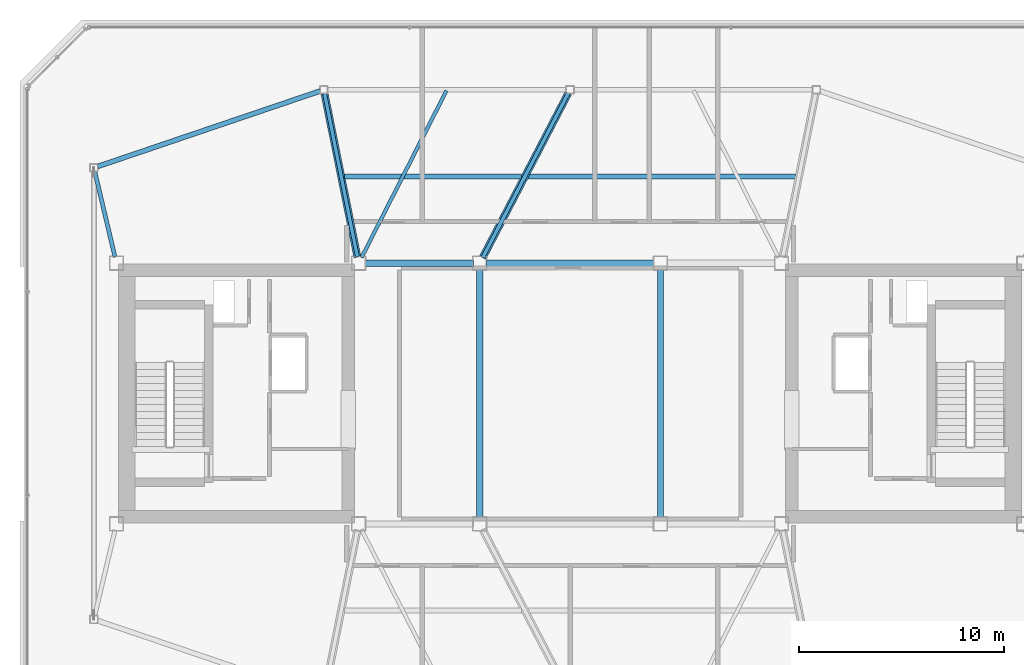
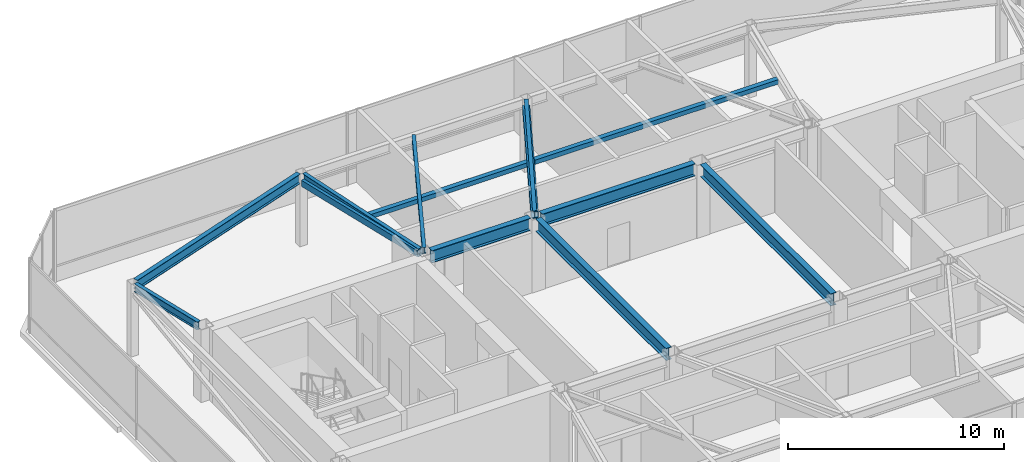
# One storey, part 7 of 21: 9 beams, 4 members.
"""IFC4 building model written with IfcOpenShell, lengths in metres."""

from ifc_helpers import new_model, si_unit, direction, frame, origin, origin_2d, place, context, subcontext, project, spatial, hollow_rectangle, i_section, extrude, material, material_profile, profile_set, type_object, element, save


model = new_model("IFC4")

# Units and contexts
model_context = context("Model", 3, precision=1e-05, world=origin(), true_north=direction((0.0, 1.0)))
body_context = subcontext(model_context, "Body", "Model", "MODEL_VIEW")
ifc_project = project(units=[si_unit("LENGTHUNIT", "METRE"), si_unit("AREAUNIT", "SQUARE_METRE"), si_unit("VOLUMEUNIT", "CUBIC_METRE"), si_unit("PLANEANGLEUNIT", "RADIAN"), si_unit("MASSUNIT", "GRAM", prefix="KILO")], contexts=[model_context])

# Site, building, storey
site_placement = place(None, origin())
site = spatial("IfcSite", under=ifc_project, at=site_placement, CompositionType="ELEMENT")
building_placement = place(site_placement, origin())
building = spatial("IfcBuilding", under=site, at=building_placement, Name="Tavrogorsk Clinical Tower", CompositionType="ELEMENT")
storey_placement = place(building_placement, frame((0.0, 0.0, 344.199951171875)))
storey = spatial("IfcBuildingStorey", under=building, at=storey_placement, Name="L80", CompositionType="ELEMENT", Elevation=344.199951171875)

# Members
ifc_material_1 = material(Name="Structural steel S355", Category="steel")
ifc_material_profile_1 = material_profile(ifc_material_1, hollow_rectangle(XDim=0.25, YDim=0.25, WallThickness=0.012451171875, at=origin_2d()), Name="SHS-250x250x12.5")
ifc_profile_set_1 = profile_set([ifc_material_profile_1], Name="Structural steel S355")
member_type_1 = type_object("IfcMemberType", Name="CrownFacetPurlin_SHS250", PredefinedType="PURLIN", material=ifc_profile_set_1)
member_1_placement = place(storey_placement, frame((-10.989990234375, 10.574951171875, 3.72998046875), z_axis=(1.0, 0.0, 0.0), x_axis=(0.0, 1.0, 0.0)))
element("IfcMember", 1, at=member_1_placement, inside=storey, type_object=member_type_1, Name="L80 Crown Facet Purlin N-1", PredefinedType="PURLIN", context=body_context, shape_type="SweptSolid", body=[
    extrude(hollow_rectangle(XDim=0.25, YDim=0.25, WallThickness=0.012451171875, at=origin_2d()), origin(), (0.0, 0.0, 1.0), 8.6298828125),
])
member_2_placement = place(storey_placement, frame((-2.0400390625, 10.574951171875, 3.72998046875), z_axis=(1.0, 0.0, 0.0), x_axis=(0.0, 1.0, 0.0)))
element("IfcMember", 2, at=member_2_placement, inside=storey, type_object=member_type_1, Name="L80 Crown Facet Purlin N-2", PredefinedType="PURLIN", context=body_context, shape_type="SweptSolid", body=[
    extrude(hollow_rectangle(XDim=0.25, YDim=0.25, WallThickness=0.012451171875, at=origin_2d()), origin(), (0.0, 0.0, 1.0), 13.030029296875),
])
ifc_material_2 = material(Name="Structural steel S390", Category="steel")
ifc_material_profile_2 = material_profile(ifc_material_2, hollow_rectangle(XDim=0.35009765625, YDim=0.35009765625, WallThickness=0.01611328125, at=origin_2d()), Name="SHS-350x350x16")
ifc_profile_set_2 = profile_set([ifc_material_profile_2], Name="Structural steel S390")
member_type_2 = type_object("IfcMemberType", Name="CrownFacetRafter_SHS350", PredefinedType="RAFTER", material=ifc_profile_set_2)
member_3_placement = place(storey_placement, frame((-10.361083984375, 6.65380859375, 3.869384765625), z_axis=(-0.197131196678, 0.97975889631, -0.03481086608), x_axis=(-0.980353070529, -0.197250746779, 0.0)))
element("IfcMember", 3, at=member_3_placement, inside=storey, type_object=member_type_2, Name="L80 Sloped Facet Rafter N-1", PredefinedType="RAFTER", context=body_context, shape_type="SweptSolid", body=[
    extrude(hollow_rectangle(XDim=0.35009765625, YDim=0.35009765625, WallThickness=0.01611328125, at=origin_2d()), origin(), (0.0, 0.0, 1.0), 8.114501953125),
])
member_4_placement = place(storey_placement, frame((-4.2568359375, 6.624755859375, 3.870361328125), z_axis=(0.461609796576, 0.886524618116, -0.031472165167), x_axis=(-0.886963994611, 0.461838578146, 0.0)))
element("IfcMember", 4, at=member_4_placement, inside=storey, type_object=member_type_2, Name="L80 Sloped Facet Rafter N-2", PredefinedType="RAFTER", context=body_context, shape_type="SweptSolid", body=[
    extrude(hollow_rectangle(XDim=0.35009765625, YDim=0.35009765625, WallThickness=0.01611328125, at=origin_2d()), origin(), (0.0, 0.0, 1.0), 9.021728515625),
])

# Beams
ifc_material_3 = material(Name="Structural steel S355", Category="steel")
ifc_material_profile_3 = material_profile(ifc_material_3, i_section(OverallWidth=0.199951171875, OverallDepth=0.449951171875, WebThickness=0.011474609375, FlangeThickness=0.01806640625, at=origin_2d()), Name="B-450x200x11.5x18")
ifc_profile_set_3 = profile_set([ifc_material_profile_3], Name="Structural steel S355")
beam_type_1 = type_object("IfcBeamType", Name="FloorBeam_B450", PredefinedType="BEAM", material=ifc_profile_set_3)
beam_1_placement = place(storey_placement, frame((-4.2568359375, 6.625, 3.875), z_axis=(0.461855081218, 0.886955401332, 0.0), x_axis=(-0.886955401332, 0.461855081218, 0.0)))
element("IfcBeam", 5, at=beam_1_placement, inside=storey, type_object=beam_type_1, Name="L80 Crown Radial Beam 07", PredefinedType="BEAM", context=body_context, shape_type="SweptSolid", body=[
    extrude(i_section(OverallWidth=0.199951171875, OverallDepth=0.449951171875, WebThickness=0.011474609375, FlangeThickness=0.01806640625, at=origin_2d()), origin(), (0.0, 0.0, 1.0), 9.027099609375),
])
beam_2_placement = place(storey_placement, frame((-10.361083984375, 6.65380859375, 3.875), z_axis=(-0.197249355273, 0.980353350504, 0.0), x_axis=(-0.980353350504, -0.197249355273, 0.0)))
element("IfcBeam", 6, at=beam_2_placement, inside=storey, type_object=beam_type_1, Name="L80 Crown Radial Beam 08", PredefinedType="BEAM", context=body_context, shape_type="SweptSolid", body=[
    extrude(i_section(OverallWidth=0.199951171875, OverallDepth=0.449951171875, WebThickness=0.011474609375, FlangeThickness=0.01806640625, at=origin_2d()), origin(), (0.0, 0.0, 1.0), 8.119384765625),
])
beam_3_placement = place(storey_placement, frame((-22.17138671875, 6.651611328125, 3.875), z_axis=(-0.230190528398, 0.973145580392, 0.0), x_axis=(-0.973145580392, -0.230190528398, 0.0)))
element("IfcBeam", 7, at=beam_3_placement, inside=storey, type_object=beam_type_1, Name="L80 Crown Radial Beam 09", PredefinedType="BEAM", context=body_context, shape_type="SweptSolid", body=[
    extrude(i_section(OverallWidth=0.199951171875, OverallDepth=0.449951171875, WebThickness=0.011474609375, FlangeThickness=0.01806640625, at=origin_2d()), origin(), (0.0, 0.0, 1.0), 4.278564453125),
])
ifc_material_4 = material(Name="Structural steel S390", Category="steel")
ifc_material_profile_4 = material_profile(ifc_material_4, i_section(OverallWidth=0.300048828125, OverallDepth=0.699951171875, WebThickness=0.01708984375, FlangeThickness=0.028076171875, at=origin_2d()), Name="B-700x300x17x28")
ifc_profile_set_4 = profile_set([ifc_material_profile_4], Name="Structural steel S390")
beam_type_2 = type_object("IfcBeamType", Name="PrimaryGirder_B700", PredefinedType="USERDEFINED", material=ifc_profile_set_4)
beam_4_placement = place(storey_placement, frame((-9.989990234375, 6.35009765625, 3.75), z_axis=(1.0, 0.0, 0.0), x_axis=(0.0, 1.0, 0.0)))
element("IfcBeam", 8, at=beam_4_placement, inside=storey, type_object=beam_type_2, Name="L80 Primary Spine Girder MG-02", ObjectType="GIRDER", PredefinedType="USERDEFINED", context=body_context, shape_type="SweptSolid", body=[
    extrude(i_section(OverallWidth=0.300048828125, OverallDepth=0.699951171875, WebThickness=0.01708984375, FlangeThickness=0.028076171875, at=origin_2d()), origin(), (0.0, 0.0, 1.0), 5.280029296875),
])
beam_5_placement = place(storey_placement, frame((-4.090087890625, 6.35009765625, 3.75), z_axis=(1.0, 0.0, 0.0), x_axis=(0.0, 1.0, 0.0)))
element("IfcBeam", 9, at=beam_5_placement, inside=storey, type_object=beam_type_2, Name="L80 Primary Spine Girder MG-04", ObjectType="GIRDER", PredefinedType="USERDEFINED", context=body_context, shape_type="SweptSolid", body=[
    extrude(i_section(OverallWidth=0.300048828125, OverallDepth=0.699951171875, WebThickness=0.01708984375, FlangeThickness=0.028076171875, at=origin_2d()), origin(), (0.0, 0.0, 1.0), 8.18017578125),
])
for number, where, z_axis, x_axis, name in (
    (10, (-4.39990234375, -6.0400390625, 3.75), (0.0, 1.0, 0.0), (-1.0, 0.0, 0.0), "L80 Primary Spine Girder MG-07"),
    (11, (4.39990234375, -6.0400390625, 3.75), (0.0, 1.0, 0.0), (-1.0, 0.0, 0.0), "L80 Primary Spine Girder MG-08"),
):
    element("IfcBeam", number, at=place(storey_placement, frame(where, z_axis=z_axis, x_axis=x_axis)), inside=storey, type_object=beam_type_2, Name=name, ObjectType="GIRDER", PredefinedType="USERDEFINED", context=body_context, shape_type="SweptSolid", body=[
        extrude(i_section(OverallWidth=0.300048828125, OverallDepth=0.699951171875, WebThickness=0.01708984375, FlangeThickness=0.028076171875, at=origin_2d()), origin(), (0.0, 0.0, 1.0), 12.080078125),
    ])
ifc_material_5 = material(Name="Structural steel S355", Category="steel")
ifc_material_profile_5 = material_profile(ifc_material_5, i_section(OverallWidth=0.175048828125, OverallDepth=0.35009765625, WebThickness=0.009521484375, FlangeThickness=0.013916015625, at=origin_2d()), Name="B-350x175x9.5x14")
ifc_profile_set_5 = profile_set([ifc_material_profile_5], Name="Structural steel S355")
beam_type_3 = type_object("IfcBeamType", Name="SecondaryJoist_B350", PredefinedType="JOIST", material=ifc_profile_set_5)
beam_6_placement = place(storey_placement, frame((-10.159423828125, 6.626220703125, 3.925048828125), z_axis=(0.4535299827, 0.891241019474, 0.0), x_axis=(-0.891241019474, 0.4535299827, 0.0)))
element("IfcBeam", 12, at=beam_6_placement, inside=storey, type_object=beam_type_3, Name="L80 Crown Secondary Joist 03", PredefinedType="JOIST", context=body_context, shape_type="SweptSolid", body=[
    extrude(i_section(OverallWidth=0.175048828125, OverallDepth=0.35009765625, WebThickness=0.009521484375, FlangeThickness=0.013916015625, at=origin_2d()), origin(), (0.0, 0.0, 1.0), 9.12109375),
])
ifc_material_6 = material(Name="Structural steel S390", Category="steel")
ifc_material_profile_6 = material_profile(ifc_material_6, i_section(OverallWidth=0.239990234375, OverallDepth=0.550048828125, WebThickness=0.013916015625, FlangeThickness=0.02197265625, at=origin_2d()), Name="B-550x240x14x22")
ifc_profile_set_6 = profile_set([ifc_material_profile_6], Name="Structural steel S390")
beam_type_4 = type_object("IfcBeamType", Name="SpandrelBeam_B550", PredefinedType="SPANDREL", material=ifc_profile_set_6)
beam_7_placement = place(storey_placement, frame((-12.179931640625, 14.739013671875, 3.824951171875), z_axis=(-0.946976266831, -0.321303517034, 0.0), x_axis=(0.321303517034, -0.946976266831, 0.0)))
element("IfcBeam", 13, at=beam_7_placement, inside=storey, type_object=beam_type_4, Name="L80 Crown Spandrel Beam 08", PredefinedType="SPANDREL", context=body_context, shape_type="SweptSolid", body=[
    extrude(i_section(OverallWidth=0.239990234375, OverallDepth=0.550048828125, WebThickness=0.013916015625, FlangeThickness=0.02197265625, at=origin_2d()), origin(), (0.0, 0.0, 1.0), 11.447021484375),
])

save(model, "model.ifc")
